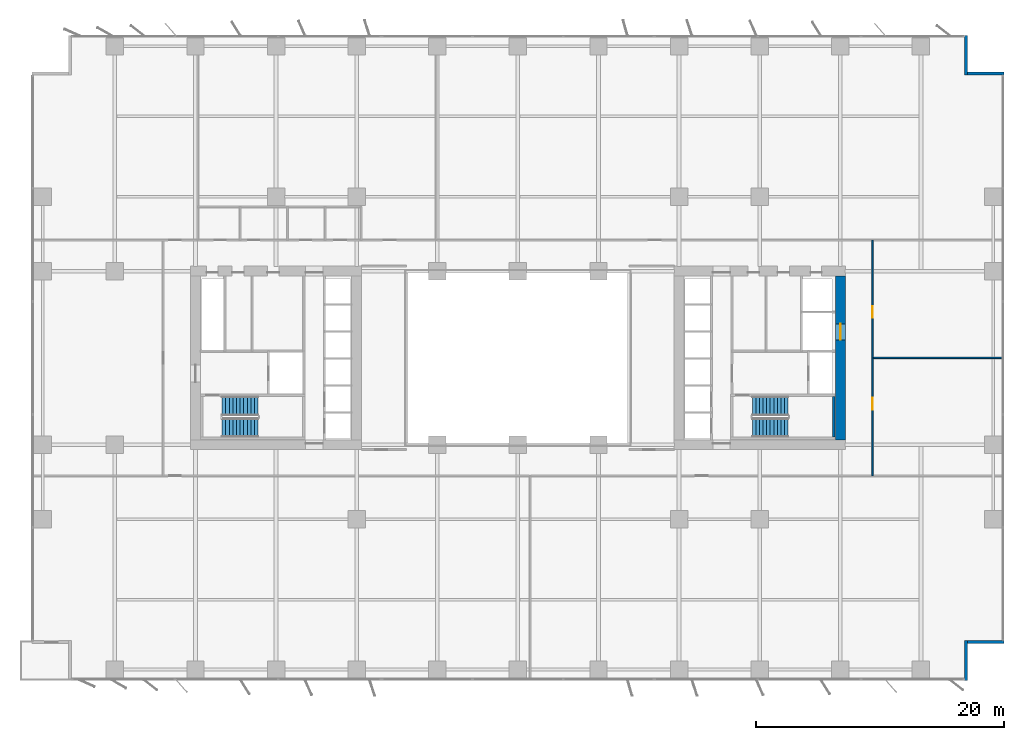
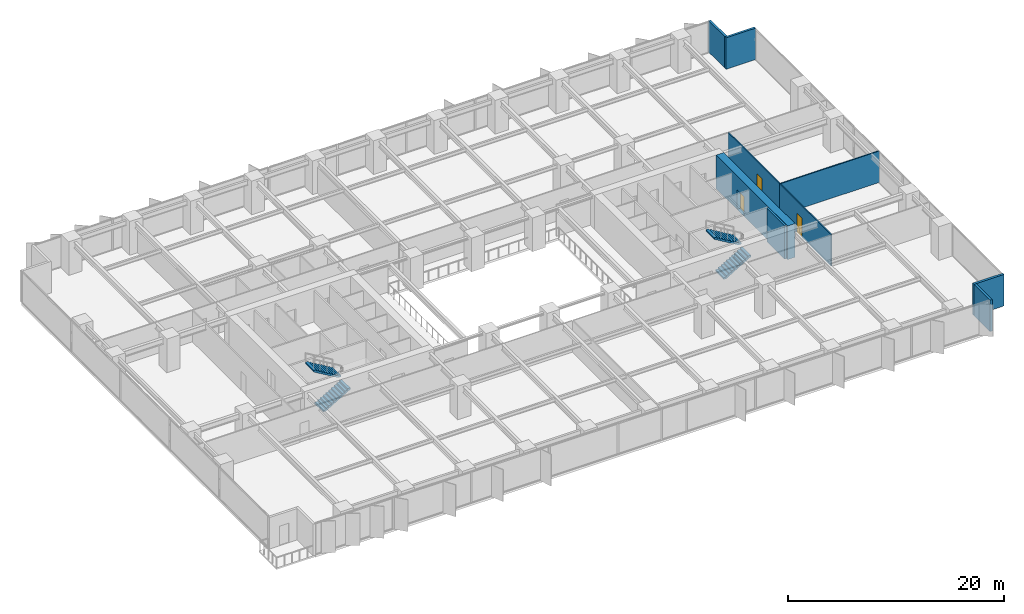
# One storey, part 16 of 20: 9 walls, 4 stair flights, 3 doors, 3 openings, 2 elements without a shape of their own.
"""IFC4 building model written with IfcOpenShell, lengths in metres."""

from ifc_helpers import new_model, si_unit, direction, frame, frame_2d, origin, place, context, subcontext, project, spatial, polyline, rectangle, outline, extrude, material, layer, layer_set, type_object, element, fill, aggregate, save


model = new_model("IFC4")

# Units and contexts
model_context = context("Model", 3, precision=1e-05, world=origin(), true_north=direction((0.0, 1.0)))
body_context = subcontext(model_context, "Body", "Model", "MODEL_VIEW")
ifc_project = project(units=[si_unit("LENGTHUNIT", "METRE"), si_unit("AREAUNIT", "SQUARE_METRE"), si_unit("VOLUMEUNIT", "CUBIC_METRE"), si_unit("PLANEANGLEUNIT", "RADIAN"), si_unit("MASSUNIT", "GRAM", prefix="KILO")], contexts=[model_context])

# Site, building, storey
site_placement = place(None, origin())
site = spatial("IfcSite", under=ifc_project, at=site_placement, CompositionType="ELEMENT")
building_placement = place(site_placement, origin())
building = spatial("IfcBuilding", under=site, at=building_placement, Name="Putna Gate Headquarters", CompositionType="ELEMENT")
storey_placement = place(building_placement, frame((0.0, 0.0, 31.60009765625)))
storey = spatial("IfcBuildingStorey", under=building, at=storey_placement, Name="L06", CompositionType="ELEMENT", Elevation=31.60009765625)

# Wall, opening, door
ifc_material_1 = material(Name="Concrete C60/75", Category="concrete")
ifc_layer_1 = layer(ifc_material_1, 0.800048828125)
ifc_layer_set_1 = layer_set([ifc_layer_1], Name="Concrete C60/75")
wall_type_1 = type_object("IfcWallType", Name="WALL-CORE-800", PredefinedType="SHEAR", material=ifc_layer_set_1)
wall_1_placement = place(storey_placement, frame((65.0, 19.39990234375, 0.0), z_axis=(0.0, 0.0, 1.0), x_axis=(0.0, 1.0, 0.0)))
wall_1 = element("IfcWall", 1, at=wall_1_placement, inside=storey, type_object=wall_type_1, Name="L06 EC Split Core Shear Wall E", PredefinedType="SHEAR", context=body_context, shape_type="SweptSolid", body=[
    extrude(rectangle(XDim=13.2001953125, YDim=0.800048828125, at=frame_2d((6.60009765625, 0.0))), origin(), (0.0, 0.0, 1.0), 3.7998046875),
])
opening_1_placement = place(wall_1_placement, frame((8.050048828125, 0.0, 0.0)))
opening_1 = element("IfcOpeningElement", 2, at=opening_1_placement, cuts=wall_1, Name="Opening LD-2", PredefinedType="OPENING", context=body_context, shape_type="SweptSolid", body=[
    extrude(rectangle(XDim=1.300048828125, YDim=2.199951171875, at=frame_2d((0.64990234375, 1.10009765625))), frame((0.0, 0.409912109375, 0.0), z_axis=(0.0, -1.0, 0.0), x_axis=(1.0, 0.0, 0.0)), (0.0, 0.0, 1.0), 0.820068359375),
])
ifc_material_2 = material(Name="Heavy-duty goods lift sliding landing door")
door_type_1 = type_object("IfcDoorType", Name="DOOR-LIFT-1300", OperationType="DOUBLE_DOOR_SLIDING", PredefinedType="DOOR", material=ifc_material_2)
door_1_placement = place(opening_1_placement, origin())
door_1 = element("IfcDoor", 3, at=door_1_placement, inside=storey, type_object=door_type_1, Name="L06 Goods Lift Landing Door LD-15", OperationType="DOUBLE_DOOR_SLIDING", OverallHeight=2.199951171875, OverallWidth=1.300048828125, PredefinedType="DOOR", context=body_context, shape_type="SweptSolid", body=[
    extrude(rectangle(XDim=1.300048828125, YDim=2.199951171875, at=frame_2d((0.64990234375, 1.10009765625))), frame((0.0, 0.02490234375, 0.0), z_axis=(0.0, -1.0, 0.0), x_axis=(1.0, 0.0, 0.0)), (0.0, 0.0, 1.0), 0.050048828125),
])
fill(opening_1, door_1)

# Walls
ifc_material_3 = material(Name="Precast concrete C40/50", Category="concrete")
ifc_layer_2 = layer(ifc_material_3, 0.239990234375)
ifc_layer_set_2 = layer_set([ifc_layer_2], Name="Precast concrete C40/50")
wall_type_2 = type_object("IfcWallType", Name="WALL-EXT-TERR-240", PredefinedType="STANDARD", material=ifc_layer_set_2)
for number, where, z_axis, x_axis, name in (
    (4, (75.1201171875, 52.0, 0.0), (0.0, 0.0, 1.0), (0.0, -1.0, 0.0), "L06 Corner Notch Return Wall NE-V"),
    (5, (75.0, 48.919921875, 0.0), (0.0, 0.0, 1.0), (1.0, 0.0, 0.0), "L06 Corner Notch Return Wall NE-H"),
    (6, (75.1201171875, 3.199951171875, 0.0), (0.0, 0.0, 1.0), (0.0, -1.0, 0.0), "L06 Corner Notch Return Wall SE-V"),
    (7, (78.199951171875, 3.080078125, 0.0), (0.0, 0.0, 1.0), (-1.0, 0.0, 0.0), "L06 Corner Notch Return Wall SE-H"),
):
    element("IfcWall", number, at=place(storey_placement, frame(where, z_axis=z_axis, x_axis=x_axis)), inside=storey, type_object=wall_type_2, Name=name, PredefinedType="STANDARD", context=body_context, shape_type="SweptSolid", body=[
        extrude(rectangle(XDim=3.199951171875, YDim=0.239990234375, at=frame_2d((1.60009765625, 0.0))), origin(), (0.0, 0.0, 1.0), 3.5498046875),
    ])
ifc_material_4 = material(Name="Acoustic gypsum board on metal stud")
ifc_layer_3 = layer(ifc_material_4, 0.1201171875)
ifc_layer_set_3 = layer_set([ifc_layer_3], Name="Acoustic gypsum board on metal stud")
wall_type_3 = type_object("IfcWallType", Name="WALL-PART-120", PredefinedType="PARTITIONING", material=ifc_layer_set_3)
wall_2_placement = place(storey_placement, frame((67.60009765625, 26.0, 0.0), z_axis=(0.0, 0.0, 1.0), x_axis=(1.0, 0.0, 0.0)))
element("IfcWall", 8, at=wall_2_placement, inside=storey, type_object=wall_type_3, Name="L06 Interior Wall PART-L06-EW-DIV-1", PredefinedType="PARTITIONING", context=body_context, shape_type="SweptSolid", body=[
    extrude(rectangle(XDim=10.579833984375, YDim=0.1201171875, at=frame_2d((5.2900390625, 0.0))), origin(), (0.0, 0.0, 1.0), 3.5498046875),
])

# Wall, opening, door
ifc_material_5 = material(Name="Fire-rated gypsum board on metal stud")
ifc_layer_4 = layer(ifc_material_5, 0.1201171875)
ifc_layer_set_4 = layer_set([ifc_layer_4], Name="Fire-rated gypsum board on metal stud")
wall_type_4 = type_object("IfcWallType", Name="WALL-PART-120-RATED", PredefinedType="PARTITIONING", material=ifc_layer_set_4)
wall_3_placement = place(storey_placement, frame((67.60009765625, 16.5, 0.0), z_axis=(0.0, 0.0, 1.0), x_axis=(0.0, 1.0, 0.0)))
wall_3 = element("IfcWall", 9, at=wall_3_placement, inside=storey, type_object=wall_type_4, Name="L06 Interior Wall PART-L06-EW-CW-1", PredefinedType="PARTITIONING", context=body_context, shape_type="SweptSolid", body=[
    extrude(rectangle(XDim=9.5, YDim=0.1201171875, at=frame_2d((4.75, 0.0))), origin(), (0.0, 0.0, 1.0), 3.5498046875),
])
opening_2_placement = place(wall_3_placement, frame((5.324951171875, 0.0, 0.0)))
opening_2 = element("IfcOpeningElement", 10, at=opening_2_placement, cuts=wall_3, Name="Opening FD-95", PredefinedType="OPENING", context=body_context, shape_type="SweptSolid", body=[
    extrude(rectangle(XDim=0.949951171875, YDim=2.14990234375, at=frame_2d((0.47509765625, 1.074951171875))), frame((0.0, 0.070068359375, 0.0), z_axis=(0.0, -1.0, 0.0), x_axis=(1.0, 0.0, 0.0)), (0.0, 0.0, 1.0), 0.14013671875),
])
ifc_material_6 = material(Name="Acoustic timber fire door", Category="wood")
door_type_2 = type_object("IfcDoorType", Name="DOOR-FIRE-950", OperationType="NOTDEFINED", PredefinedType="DOOR", material=ifc_material_6)
door_2_placement = place(opening_2_placement, origin())
door_2 = element("IfcDoor", 11, at=door_2_placement, inside=storey, type_object=door_type_2, Name="L06 East Advisory Office 1 Door", OperationType="SINGLE_SWING_LEFT", OverallHeight=2.14990234375, OverallWidth=0.949951171875, PredefinedType="DOOR", context=body_context, shape_type="SweptSolid", body=[
    extrude(rectangle(XDim=0.949951171875, YDim=2.14990234375, at=frame_2d((0.47509765625, 1.074951171875))), frame((0.0, 0.02490234375, 0.0), z_axis=(0.0, -1.0, 0.0), x_axis=(1.0, 0.0, 0.0)), (0.0, 0.0, 1.0), 0.050048828125),
])
fill(opening_2, door_2)

wall_4_placement = place(storey_placement, frame((67.60009765625, 26.0, 0.0), z_axis=(0.0, 0.0, 1.0), x_axis=(0.0, 1.0, 0.0)))
wall_4 = element("IfcWall", 12, at=wall_4_placement, inside=storey, type_object=wall_type_4, Name="L06 Interior Wall PART-L06-EW-CW-2", PredefinedType="PARTITIONING", context=body_context, shape_type="SweptSolid", body=[
    extrude(rectangle(XDim=9.5, YDim=0.1201171875, at=frame_2d((4.75, 0.0))), origin(), (0.0, 0.0, 1.0), 3.5498046875),
])
opening_3_placement = place(wall_4_placement, frame((3.22509765625, 0.0, 0.0)))
opening_3 = element("IfcOpeningElement", 13, at=opening_3_placement, cuts=wall_4, Name="Opening FD-95", PredefinedType="OPENING", context=body_context, shape_type="SweptSolid", body=[
    extrude(rectangle(XDim=0.949951171875, YDim=2.14990234375, at=frame_2d((0.47509765625, 1.074951171875))), frame((0.0, 0.070068359375, 0.0), z_axis=(0.0, -1.0, 0.0), x_axis=(1.0, 0.0, 0.0)), (0.0, 0.0, 1.0), 0.14013671875),
])
door_3_placement = place(opening_3_placement, origin())
door_3 = element("IfcDoor", 14, at=door_3_placement, inside=storey, type_object=door_type_2, Name="L06 East Horizon Conference Room 2 Door", OperationType="SINGLE_SWING_RIGHT", OverallHeight=2.14990234375, OverallWidth=0.949951171875, PredefinedType="DOOR", context=body_context, shape_type="SweptSolid", body=[
    extrude(rectangle(XDim=0.949951171875, YDim=2.14990234375, at=frame_2d((0.47509765625, 1.074951171875))), frame((0.0, 0.02490234375, 0.0), z_axis=(0.0, -1.0, 0.0), x_axis=(1.0, 0.0, 0.0)), (0.0, 0.0, 1.0), 0.050048828125),
])
fill(opening_3, door_3)

# Wall
ifc_material_7 = material(Name="Concrete C40/50", Category="concrete")
ifc_layer_5 = layer(ifc_material_7, 0.199951171875)
ifc_layer_set_5 = layer_set([ifc_layer_5], Name="Concrete C40/50")
wall_type_5 = type_object("IfcWallType", Name="WALL-SHAFT-RC200", PredefinedType="SHEAR", material=ifc_layer_set_5)
wall_5_placement = place(storey_placement, frame((64.489990234375, 19.610107421875, 0.0), z_axis=(0.0, 0.0, 1.0), x_axis=(0.0, 1.0, 0.0)))
element("IfcWall", 15, at=wall_5_placement, inside=storey, type_object=wall_type_5, Name="L06 Stair ST2 Structural Shaft Wall E", PredefinedType="SHEAR", context=body_context, shape_type="SweptSolid", body=[
    extrude(rectangle(XDim=3.27978515625, YDim=0.199951171875, at=frame_2d((1.639892578125, 0.0))), origin(), (0.0, 0.0, 1.0), 3.7998046875),
])

# Stair, stair flights
stair_type_1 = type_object("IfcStairType", Name="STAIR-ST1", PredefinedType="HALF_TURN_STAIR", material=ifc_material_7)
stair_1_placement = place(storey_placement, origin())
stair_1 = element("IfcStair", 16, at=stair_1_placement, inside=storey, type_object=stair_type_1, Name="L06 West Core Exit Stair ST1", PredefinedType="HALF_TURN_STAIR")
stair_flight_type_1 = type_object("IfcStairFlightType", Name="FLIGHT-ST1", PredefinedType="STRAIGHT", material=ifc_material_7)
stair_flight_1_placement = place(storey_placement, frame((15.14990234375, 20.375, 0.0), z_axis=(0.0, 0.0, 1.0), x_axis=(1.0, 0.0, 0.0)))
stair_flight_1 = element("IfcStairFlight", 17, at=stair_flight_1_placement, type_object=stair_flight_type_1, Name="ST1 flight 1", NumberOfRisers=11, NumberOfTreads=10, PredefinedType="STRAIGHT", RiserHeight=0.172727273, TreadLength=0.29, context=body_context, shape_type="SweptSolid", body=[
    extrude(outline(polyline([(0.0, 0.0), (0.0, 0.172607421875), (0.2900390625, 0.172607421875), (0.2900390625, 0.345458984375), (0.580078125, 0.345458984375), (0.580078125, 0.51806640625), (0.8701171875, 0.51806640625), (0.8701171875, 0.69091796875), (1.159912109375, 0.69091796875), (1.159912109375, 0.863525390625), (1.449951171875, 0.863525390625), (1.449951171875, 1.036376953125), (1.739990234375, 1.036376953125), (1.739990234375, 1.208984375), (2.030029296875, 1.208984375), (2.030029296875, 1.3818359375), (2.320068359375, 1.3818359375), (2.320068359375, 1.554443359375), (2.610107421875, 1.554443359375), (2.610107421875, 1.727294921875), (2.89990234375, 1.727294921875), (2.89990234375, 1.89990234375), (2.89990234375, 1.552734375), (0.29296875, 0.0), (0.0, 0.0)])), frame((0.0, 0.77490234375, 0.0), z_axis=(0.0, -1.0, 0.0), x_axis=(1.0, 0.0, 0.0)), (0.0, 0.0, 1.0), 1.550048828125),
])
stair_flight_2_placement = place(storey_placement, frame((18.050048828125, 22.125, 1.89990234375), z_axis=(0.0, 0.0, 1.0), x_axis=(-1.0, 0.0, 0.0)))
stair_flight_2 = element("IfcStairFlight", 18, at=stair_flight_2_placement, type_object=stair_flight_type_1, Name="ST1 flight 2", NumberOfRisers=11, NumberOfTreads=10, PredefinedType="STRAIGHT", RiserHeight=0.172727273, TreadLength=0.29, context=body_context, shape_type="SweptSolid", body=[
    extrude(outline(polyline([(0.0, 0.0), (0.0, 0.172607421875), (0.2900390625, 0.172607421875), (0.2900390625, 0.345458984375), (0.580078125, 0.345458984375), (0.580078125, 0.51806640625), (0.8701171875, 0.51806640625), (0.8701171875, 0.69091796875), (1.159912109375, 0.69091796875), (1.159912109375, 0.863525390625), (1.449951171875, 0.863525390625), (1.449951171875, 1.036376953125), (1.739990234375, 1.036376953125), (1.739990234375, 1.208984375), (2.030029296875, 1.208984375), (2.030029296875, 1.3818359375), (2.320068359375, 1.3818359375), (2.320068359375, 1.554443359375), (2.610107421875, 1.554443359375), (2.610107421875, 1.727294921875), (2.89990234375, 1.727294921875), (2.89990234375, 1.89990234375), (2.89990234375, 1.552734375), (0.29296875, 0.0), (0.0, 0.0)])), frame((0.0, 0.77490234375, 0.0), z_axis=(0.0, -1.0, 0.0), x_axis=(1.0, 0.0, 0.0)), (0.0, 0.0, 1.0), 1.550048828125),
])
aggregate(stair_1, [stair_flight_1, stair_flight_2])

stair_type_2 = type_object("IfcStairType", Name="STAIR-ST2", PredefinedType="HALF_TURN_STAIR", material=ifc_material_7)
stair_2_placement = place(storey_placement, origin())
stair_2 = element("IfcStair", 19, at=stair_2_placement, inside=storey, type_object=stair_type_2, Name="L06 East Core Exit Stair ST2", PredefinedType="HALF_TURN_STAIR")
stair_flight_type_2 = type_object("IfcStairFlightType", Name="FLIGHT-ST2", PredefinedType="STRAIGHT", material=ifc_material_7)
stair_flight_3_placement = place(storey_placement, frame((57.89990234375, 20.375, 0.0), z_axis=(0.0, 0.0, 1.0), x_axis=(1.0, 0.0, 0.0)))
stair_flight_3 = element("IfcStairFlight", 20, at=stair_flight_3_placement, type_object=stair_flight_type_2, Name="ST2 flight 1", NumberOfRisers=11, NumberOfTreads=10, PredefinedType="STRAIGHT", RiserHeight=0.172727273, TreadLength=0.29, context=body_context, shape_type="SweptSolid", body=[
    extrude(outline(polyline([(0.0, 0.0), (0.0, 0.172607421875), (0.2900390625, 0.172607421875), (0.2900390625, 0.345458984375), (0.580078125, 0.345458984375), (0.580078125, 0.51806640625), (0.8701171875, 0.51806640625), (0.8701171875, 0.69091796875), (1.159912109375, 0.69091796875), (1.159912109375, 0.863525390625), (1.449951171875, 0.863525390625), (1.449951171875, 1.036376953125), (1.739990234375, 1.036376953125), (1.739990234375, 1.208984375), (2.030029296875, 1.208984375), (2.030029296875, 1.3818359375), (2.320068359375, 1.3818359375), (2.320068359375, 1.554443359375), (2.610107421875, 1.554443359375), (2.610107421875, 1.727294921875), (2.89990234375, 1.727294921875), (2.89990234375, 1.89990234375), (2.89990234375, 1.552734375), (0.29296875, 0.0), (0.0, 0.0)])), frame((0.0, 0.77490234375, 0.0), z_axis=(0.0, -1.0, 0.0), x_axis=(1.0, 0.0, 0.0)), (0.0, 0.0, 1.0), 1.550048828125),
])
stair_flight_4_placement = place(storey_placement, frame((60.800048828125, 22.125, 1.89990234375), z_axis=(0.0, 0.0, 1.0), x_axis=(-1.0, 0.0, 0.0)))
stair_flight_4 = element("IfcStairFlight", 21, at=stair_flight_4_placement, type_object=stair_flight_type_2, Name="ST2 flight 2", NumberOfRisers=11, NumberOfTreads=10, PredefinedType="STRAIGHT", RiserHeight=0.172727273, TreadLength=0.29, context=body_context, shape_type="SweptSolid", body=[
    extrude(outline(polyline([(0.0, 0.0), (0.0, 0.172607421875), (0.2900390625, 0.172607421875), (0.2900390625, 0.345458984375), (0.580078125, 0.345458984375), (0.580078125, 0.51806640625), (0.8701171875, 0.51806640625), (0.8701171875, 0.69091796875), (1.159912109375, 0.69091796875), (1.159912109375, 0.863525390625), (1.449951171875, 0.863525390625), (1.449951171875, 1.036376953125), (1.739990234375, 1.036376953125), (1.739990234375, 1.208984375), (2.030029296875, 1.208984375), (2.030029296875, 1.3818359375), (2.320068359375, 1.3818359375), (2.320068359375, 1.554443359375), (2.610107421875, 1.554443359375), (2.610107421875, 1.727294921875), (2.89990234375, 1.727294921875), (2.89990234375, 1.89990234375), (2.89990234375, 1.552734375), (0.29296875, 0.0), (0.0, 0.0)])), frame((0.0, 0.77490234375, 0.0), z_axis=(0.0, -1.0, 0.0), x_axis=(1.0, 0.0, 0.0)), (0.0, 0.0, 1.0), 1.550048828125),
])
aggregate(stair_2, [stair_flight_3, stair_flight_4])

save(model, "model.ifc")
